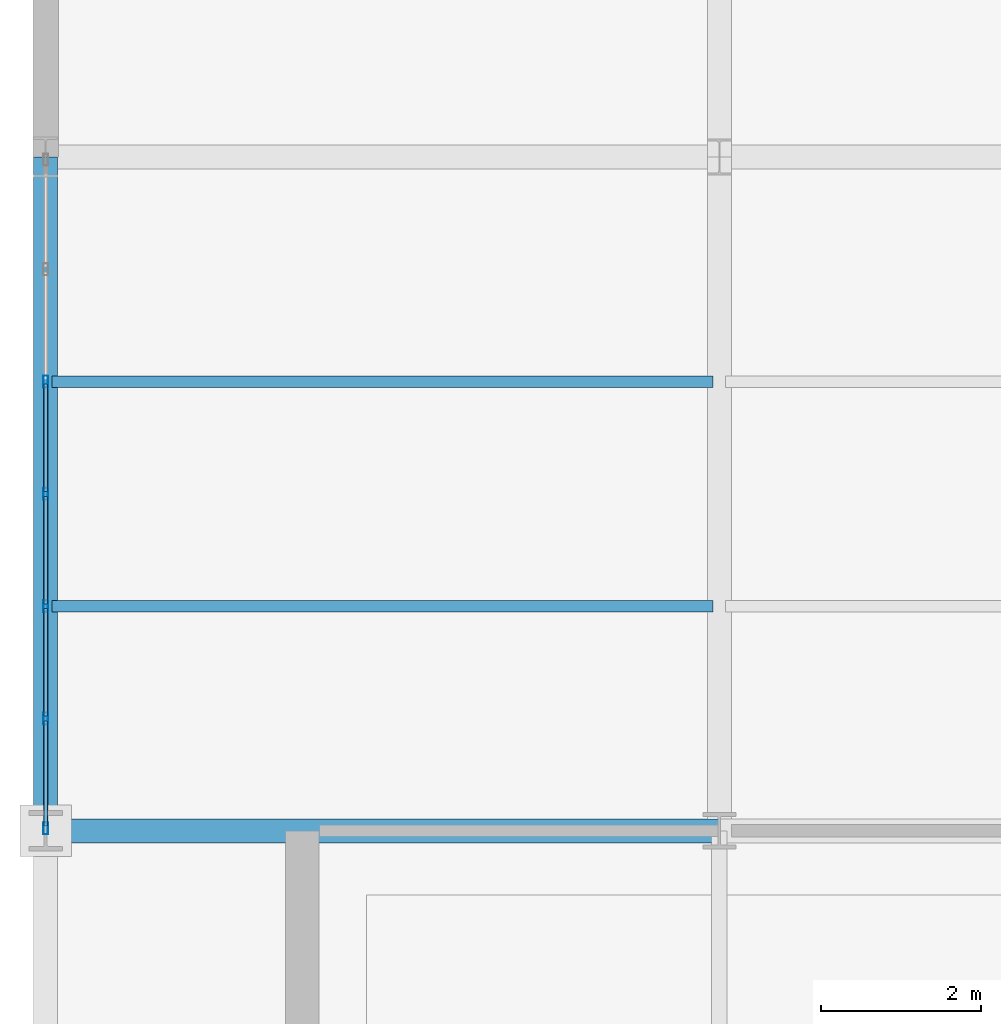
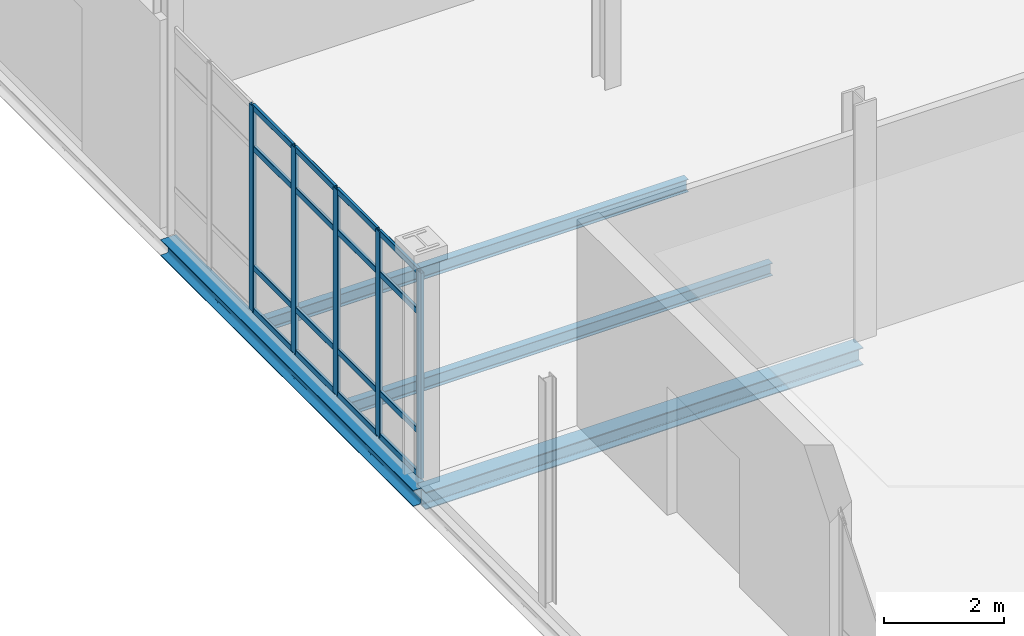
# One storey, part 33 of 145: 21 members, 4 beams, 1 element without a shape of its own.
"""IFC4 building model written with IfcOpenShell, lengths in metres."""

from ifc_helpers import new_model, si_unit, direction, frame, origin, origin_2d, place, context, subcontext, project, spatial, hollow_rectangle, i_section, extrude, material, layer, layer_set, material_profile, profile_set, type_object, element, aggregate, save


model = new_model("IFC4")

# Units and contexts
model_context = context("Model", 3, precision=1e-05, world=origin(), true_north=direction((0.0, 1.0)))
body_context = subcontext(model_context, "Body", "Model", "MODEL_VIEW")
ifc_project = project(units=[si_unit("LENGTHUNIT", "METRE"), si_unit("AREAUNIT", "SQUARE_METRE"), si_unit("VOLUMEUNIT", "CUBIC_METRE"), si_unit("PLANEANGLEUNIT", "RADIAN"), si_unit("MASSUNIT", "GRAM", prefix="KILO")], contexts=[model_context])

# Site, building, storey
site_placement = place(None, origin())
site = spatial("IfcSite", under=ifc_project, at=site_placement, CompositionType="ELEMENT")
building_placement = place(site_placement, origin())
building = spatial("IfcBuilding", under=site, at=building_placement, Name="Qalvenar Corner Mobility Hub", CompositionType="ELEMENT")
storey_placement = place(building_placement, origin())
storey = spatial("IfcBuildingStorey", under=building, at=storey_placement, Name="L00", CompositionType="ELEMENT", Elevation=0.0)

# Beams
ifc_material_1 = material(Name="Steel S355", Category="steel")
ifc_material_profile_1 = material_profile(ifc_material_1, i_section(OverallWidth=0.14599609375, OverallDepth=0.258056640625, WebThickness=0.006103515625, FlangeThickness=0.009033203125, FilletRadius=0.011962890625, at=origin_2d()), Name="W250x32.7")
ifc_profile_set_1 = profile_set([ifc_material_profile_1], Name="Steel S355")
beam_type_1 = type_object("IfcBeamType", Name="BM-JST250", PredefinedType="JOIST", material=ifc_profile_set_1)
for number, where, z_axis, x_axis, name in (
    (1, (0.077880859375, 44.800048828125, -0.34912109375), (1.0, 0.0, 0.0), (0.0, 1.0, 0.0), "Composite Floor Joist J-0477"),
    (2, (0.077880859375, 47.60009765625, -0.34912109375), (1.0, 0.0, 0.0), (0.0, 1.0, 0.0), "Composite Floor Joist J-0478"),
):
    element("IfcBeam", number, at=place(storey_placement, frame(where, z_axis=z_axis, x_axis=x_axis)), inside=storey, type_object=beam_type_1, Name=name, PredefinedType="JOIST", context=body_context, shape_type="SweptSolid", body=[
        extrude(i_section(OverallWidth=0.14599609375, OverallDepth=0.258056640625, WebThickness=0.006103515625, FlangeThickness=0.009033203125, FilletRadius=0.011962890625, at=origin_2d()), origin(), (0.0, 0.0, 1.0), 8.244140625),
    ])
ifc_material_profile_2 = material_profile(ifc_material_1, i_section(OverallWidth=0.300048828125, OverallDepth=0.330078125, WebThickness=0.009521484375, FlangeThickness=0.0166015625, FilletRadius=0.027099609375, at=origin_2d()), Name="HEA340")
ifc_profile_set_2 = profile_set([ifc_material_profile_2], Name="Steel S355")
beam_type_2 = type_object("IfcBeamType", Name="BM-SPN340", PredefinedType="SPANDREL", material=ifc_profile_set_2)
beam_1_placement = place(storey_placement, frame((0.0, 42.0, -0.385009765625), z_axis=(0.0, 1.0, 0.0), x_axis=(-1.0, 0.0, 0.0)))
element("IfcBeam", 3, at=beam_1_placement, inside=storey, type_object=beam_type_2, Name="Primary Steel Girder GY-0447", PredefinedType="SPANDREL", context=body_context, shape_type="SweptSolid", body=[
    extrude(i_section(OverallWidth=0.300048828125, OverallDepth=0.330078125, WebThickness=0.009521484375, FlangeThickness=0.0166015625, FilletRadius=0.027099609375, at=origin_2d()), origin(), (0.0, 0.0, 1.0), 8.39990234375),
])
ifc_material_profile_3 = material_profile(ifc_material_1, i_section(OverallWidth=0.300048828125, OverallDepth=0.35009765625, WebThickness=0.010009765625, FlangeThickness=0.017578125, FilletRadius=0.027099609375, at=origin_2d()), Name="HEA360")
ifc_profile_set_3 = profile_set([ifc_material_profile_3], Name="Steel S355")
beam_type_3 = type_object("IfcBeamType", Name="BM-SPN360", PredefinedType="SPANDREL", material=ifc_profile_set_3)
beam_2_placement = place(storey_placement, frame((0.0, 42.0, -0.39501953125), z_axis=(1.0, 0.0, 0.0), x_axis=(0.0, 1.0, 0.0)))
element("IfcBeam", 4, at=beam_2_placement, inside=storey, type_object=beam_type_3, Name="Primary Steel Girder GX-0031", PredefinedType="SPANDREL", context=body_context, shape_type="SweptSolid", body=[
    extrude(i_section(OverallWidth=0.300048828125, OverallDepth=0.35009765625, WebThickness=0.010009765625, FlangeThickness=0.017578125, FilletRadius=0.027099609375, at=origin_2d()), origin(), (0.0, 0.0, 1.0), 8.39990234375),
])

# Curtain wall, members
ifc_material_2 = material(Name="Anodised Aluminium and Low-E Glazing", Category="aluminium")
ifc_layer = layer(ifc_material_2, 0.14990234375)
ifc_layer_set = layer_set([ifc_layer], Name="Anodised Aluminium and Low-E Glazing")
curtain_wall_type = type_object("IfcCurtainWallType", Name="CW-CYC-84X45", PredefinedType="NOTDEFINED", material=ifc_layer_set)
curtain_wall_placement = place(storey_placement, origin())
curtain_wall = element("IfcCurtainWall", 5, at=curtain_wall_placement, inside=storey, type_object=curtain_wall_type, Name="Glazed Curtain Wall CW-V5-L00-W0", PredefinedType="NOTDEFINED")
ifc_material_3 = material(Name="Anodised Aluminium 6063-T6", Category="aluminium")
ifc_material_profile_4 = material_profile(ifc_material_3, hollow_rectangle(XDim=0.06005859375, YDim=0.14990234375, WallThickness=0.00390625, InnerFilletRadius=0.00390625, OuterFilletRadius=0.008056640625, at=origin_2d()), Name="RHS150x60x4")
ifc_profile_set_4 = profile_set([ifc_material_profile_4], Name="Anodised Aluminium 6063-T6")
member_type_1 = type_object("IfcMemberType", Name="CW-MUL150", PredefinedType="MULLION", material=ifc_profile_set_4)
member_1_placement = place(storey_placement, frame((0.0, 47.60009765625, 0.0), z_axis=(0.0, 0.0, 1.0), x_axis=(1.0, 0.0, 0.0)))
member_1 = element("IfcMember", 6, at=member_1_placement, type_object=member_type_1, Name="CW-07 mullion 3", PredefinedType="MULLION", context=body_context, shape_type="SweptSolid", body=[
    extrude(hollow_rectangle(XDim=0.06005859375, YDim=0.14990234375, WallThickness=0.00390625, InnerFilletRadius=0.00390625, OuterFilletRadius=0.008056640625, at=origin_2d()), origin(), (0.0, 0.0, 1.0), 4.169921875),
])
member_2_placement = place(storey_placement, frame((0.0, 46.199951171875, 0.0), z_axis=(0.0, 0.0, 1.0), x_axis=(1.0, 0.0, 0.0)))
member_2 = element("IfcMember", 7, at=member_2_placement, type_object=member_type_1, Name="CW-07 mullion 4", PredefinedType="MULLION", context=body_context, shape_type="SweptSolid", body=[
    extrude(hollow_rectangle(XDim=0.06005859375, YDim=0.14990234375, WallThickness=0.00390625, InnerFilletRadius=0.00390625, OuterFilletRadius=0.008056640625, at=origin_2d()), origin(), (0.0, 0.0, 1.0), 4.169921875),
])
member_3_placement = place(storey_placement, frame((0.0, 44.800048828125, 0.0), z_axis=(0.0, 0.0, 1.0), x_axis=(1.0, 0.0, 0.0)))
member_3 = element("IfcMember", 8, at=member_3_placement, type_object=member_type_1, Name="CW-07 mullion 5", PredefinedType="MULLION", context=body_context, shape_type="SweptSolid", body=[
    extrude(hollow_rectangle(XDim=0.06005859375, YDim=0.14990234375, WallThickness=0.00390625, InnerFilletRadius=0.00390625, OuterFilletRadius=0.008056640625, at=origin_2d()), origin(), (0.0, 0.0, 1.0), 4.169921875),
])
member_4_placement = place(storey_placement, frame((0.0, 43.39990234375, 0.0), z_axis=(0.0, 0.0, 1.0), x_axis=(1.0, 0.0, 0.0)))
member_4 = element("IfcMember", 9, at=member_4_placement, type_object=member_type_1, Name="CW-07 mullion 6", PredefinedType="MULLION", context=body_context, shape_type="SweptSolid", body=[
    extrude(hollow_rectangle(XDim=0.06005859375, YDim=0.14990234375, WallThickness=0.00390625, InnerFilletRadius=0.00390625, OuterFilletRadius=0.008056640625, at=origin_2d()), origin(), (0.0, 0.0, 1.0), 4.169921875),
])
member_5_placement = place(storey_placement, frame((0.0, 42.030029296875, 0.0), z_axis=(0.0, 0.0, 1.0), x_axis=(1.0, 0.0, 0.0)))
member_5 = element("IfcMember", 10, at=member_5_placement, type_object=member_type_1, Name="CW-07 mullion 7", PredefinedType="MULLION", context=body_context, shape_type="SweptSolid", body=[
    extrude(hollow_rectangle(XDim=0.06005859375, YDim=0.14990234375, WallThickness=0.00390625, InnerFilletRadius=0.00390625, OuterFilletRadius=0.008056640625, at=origin_2d()), origin(), (0.0, 0.0, 1.0), 4.169921875),
])
ifc_material_profile_5 = material_profile(ifc_material_3, hollow_rectangle(XDim=0.054931640625, YDim=0.1201171875, WallThickness=0.00341796875, InnerFilletRadius=0.00341796875, OuterFilletRadius=0.007080078125, at=origin_2d()), Name="RHS120x55x3.5")
ifc_profile_set_5 = profile_set([ifc_material_profile_5], Name="Anodised Aluminium 6063-T6")
member_type_2 = type_object("IfcMemberType", Name="CW-TRN120", PredefinedType="USERDEFINED", material=ifc_profile_set_5)
member_6_placement = place(storey_placement, frame((0.0, 47.570068359375, 0.027587890625), z_axis=(0.0, -1.0, 0.0), x_axis=(1.0, 0.0, 0.0)))
member_6 = element("IfcMember", 11, at=member_6_placement, type_object=member_type_2, Name="CW-07 transom 3.1", ObjectType="TRANSOM", PredefinedType="USERDEFINED", context=body_context, shape_type="SweptSolid", body=[
    extrude(hollow_rectangle(XDim=0.054931640625, YDim=0.1201171875, WallThickness=0.00341796875, InnerFilletRadius=0.00341796875, OuterFilletRadius=0.007080078125, at=origin_2d()), origin(), (0.0, 0.0, 1.0), 1.340087890625),
])
member_7_placement = place(storey_placement, frame((0.0, 47.570068359375, 0.89990234375), z_axis=(0.0, -1.0, 0.0), x_axis=(1.0, 0.0, 0.0)))
member_7 = element("IfcMember", 12, at=member_7_placement, type_object=member_type_2, Name="CW-07 transom 3.2", ObjectType="TRANSOM", PredefinedType="USERDEFINED", context=body_context, shape_type="SweptSolid", body=[
    extrude(hollow_rectangle(XDim=0.054931640625, YDim=0.1201171875, WallThickness=0.00341796875, InnerFilletRadius=0.00341796875, OuterFilletRadius=0.007080078125, at=origin_2d()), origin(), (0.0, 0.0, 1.0), 1.340087890625),
])
member_8_placement = place(storey_placement, frame((0.0, 47.570068359375, 3.320068359375), z_axis=(0.0, -1.0, 0.0), x_axis=(1.0, 0.0, 0.0)))
member_8 = element("IfcMember", 13, at=member_8_placement, type_object=member_type_2, Name="CW-07 transom 3.3", ObjectType="TRANSOM", PredefinedType="USERDEFINED", context=body_context, shape_type="SweptSolid", body=[
    extrude(hollow_rectangle(XDim=0.054931640625, YDim=0.1201171875, WallThickness=0.00341796875, InnerFilletRadius=0.00341796875, OuterFilletRadius=0.007080078125, at=origin_2d()), origin(), (0.0, 0.0, 1.0), 1.340087890625),
])
member_9_placement = place(storey_placement, frame((0.0, 47.570068359375, 4.142578125), z_axis=(0.0, -1.0, 0.0), x_axis=(1.0, 0.0, 0.0)))
member_9 = element("IfcMember", 14, at=member_9_placement, type_object=member_type_2, Name="CW-07 transom 3.4", ObjectType="TRANSOM", PredefinedType="USERDEFINED", context=body_context, shape_type="SweptSolid", body=[
    extrude(hollow_rectangle(XDim=0.054931640625, YDim=0.1201171875, WallThickness=0.00341796875, InnerFilletRadius=0.00341796875, OuterFilletRadius=0.007080078125, at=origin_2d()), origin(), (0.0, 0.0, 1.0), 1.340087890625),
])
member_10_placement = place(storey_placement, frame((0.0, 46.169921875, 0.027587890625), z_axis=(0.0, -1.0, 0.0), x_axis=(1.0, 0.0, 0.0)))
member_10 = element("IfcMember", 15, at=member_10_placement, type_object=member_type_2, Name="CW-07 transom 4.1", ObjectType="TRANSOM", PredefinedType="USERDEFINED", context=body_context, shape_type="SweptSolid", body=[
    extrude(hollow_rectangle(XDim=0.054931640625, YDim=0.1201171875, WallThickness=0.00341796875, InnerFilletRadius=0.00341796875, OuterFilletRadius=0.007080078125, at=origin_2d()), origin(), (0.0, 0.0, 1.0), 1.33984375),
])
member_11_placement = place(storey_placement, frame((0.0, 46.169921875, 0.89990234375), z_axis=(0.0, -1.0, 0.0), x_axis=(1.0, 0.0, 0.0)))
member_11 = element("IfcMember", 16, at=member_11_placement, type_object=member_type_2, Name="CW-07 transom 4.2", ObjectType="TRANSOM", PredefinedType="USERDEFINED", context=body_context, shape_type="SweptSolid", body=[
    extrude(hollow_rectangle(XDim=0.054931640625, YDim=0.1201171875, WallThickness=0.00341796875, InnerFilletRadius=0.00341796875, OuterFilletRadius=0.007080078125, at=origin_2d()), origin(), (0.0, 0.0, 1.0), 1.33984375),
])
member_12_placement = place(storey_placement, frame((0.0, 46.169921875, 3.320068359375), z_axis=(0.0, -1.0, 0.0), x_axis=(1.0, 0.0, 0.0)))
member_12 = element("IfcMember", 17, at=member_12_placement, type_object=member_type_2, Name="CW-07 transom 4.3", ObjectType="TRANSOM", PredefinedType="USERDEFINED", context=body_context, shape_type="SweptSolid", body=[
    extrude(hollow_rectangle(XDim=0.054931640625, YDim=0.1201171875, WallThickness=0.00341796875, InnerFilletRadius=0.00341796875, OuterFilletRadius=0.007080078125, at=origin_2d()), origin(), (0.0, 0.0, 1.0), 1.33984375),
])
member_13_placement = place(storey_placement, frame((0.0, 46.169921875, 4.142578125), z_axis=(0.0, -1.0, 0.0), x_axis=(1.0, 0.0, 0.0)))
member_13 = element("IfcMember", 18, at=member_13_placement, type_object=member_type_2, Name="CW-07 transom 4.4", ObjectType="TRANSOM", PredefinedType="USERDEFINED", context=body_context, shape_type="SweptSolid", body=[
    extrude(hollow_rectangle(XDim=0.054931640625, YDim=0.1201171875, WallThickness=0.00341796875, InnerFilletRadius=0.00341796875, OuterFilletRadius=0.007080078125, at=origin_2d()), origin(), (0.0, 0.0, 1.0), 1.33984375),
])
member_14_placement = place(storey_placement, frame((0.0, 44.77001953125, 0.027587890625), z_axis=(0.0, -1.0, 0.0), x_axis=(1.0, 0.0, 0.0)))
member_14 = element("IfcMember", 19, at=member_14_placement, type_object=member_type_2, Name="CW-07 transom 5.1", ObjectType="TRANSOM", PredefinedType="USERDEFINED", context=body_context, shape_type="SweptSolid", body=[
    extrude(hollow_rectangle(XDim=0.054931640625, YDim=0.1201171875, WallThickness=0.00341796875, InnerFilletRadius=0.00341796875, OuterFilletRadius=0.007080078125, at=origin_2d()), origin(), (0.0, 0.0, 1.0), 1.340087890625),
])
member_15_placement = place(storey_placement, frame((0.0, 44.77001953125, 0.89990234375), z_axis=(0.0, -1.0, 0.0), x_axis=(1.0, 0.0, 0.0)))
member_15 = element("IfcMember", 20, at=member_15_placement, type_object=member_type_2, Name="CW-07 transom 5.2", ObjectType="TRANSOM", PredefinedType="USERDEFINED", context=body_context, shape_type="SweptSolid", body=[
    extrude(hollow_rectangle(XDim=0.054931640625, YDim=0.1201171875, WallThickness=0.00341796875, InnerFilletRadius=0.00341796875, OuterFilletRadius=0.007080078125, at=origin_2d()), origin(), (0.0, 0.0, 1.0), 1.340087890625),
])
member_16_placement = place(storey_placement, frame((0.0, 44.77001953125, 3.320068359375), z_axis=(0.0, -1.0, 0.0), x_axis=(1.0, 0.0, 0.0)))
member_16 = element("IfcMember", 21, at=member_16_placement, type_object=member_type_2, Name="CW-07 transom 5.3", ObjectType="TRANSOM", PredefinedType="USERDEFINED", context=body_context, shape_type="SweptSolid", body=[
    extrude(hollow_rectangle(XDim=0.054931640625, YDim=0.1201171875, WallThickness=0.00341796875, InnerFilletRadius=0.00341796875, OuterFilletRadius=0.007080078125, at=origin_2d()), origin(), (0.0, 0.0, 1.0), 1.340087890625),
])
member_17_placement = place(storey_placement, frame((0.0, 44.77001953125, 4.142578125), z_axis=(0.0, -1.0, 0.0), x_axis=(1.0, 0.0, 0.0)))
member_17 = element("IfcMember", 22, at=member_17_placement, type_object=member_type_2, Name="CW-07 transom 5.4", ObjectType="TRANSOM", PredefinedType="USERDEFINED", context=body_context, shape_type="SweptSolid", body=[
    extrude(hollow_rectangle(XDim=0.054931640625, YDim=0.1201171875, WallThickness=0.00341796875, InnerFilletRadius=0.00341796875, OuterFilletRadius=0.007080078125, at=origin_2d()), origin(), (0.0, 0.0, 1.0), 1.340087890625),
])
member_18_placement = place(storey_placement, frame((0.0, 43.3701171875, 0.027587890625), z_axis=(0.0, -1.0, 0.0), x_axis=(1.0, 0.0, 0.0)))
member_18 = element("IfcMember", 23, at=member_18_placement, type_object=member_type_2, Name="CW-07 transom 6.1", ObjectType="TRANSOM", PredefinedType="USERDEFINED", context=body_context, shape_type="SweptSolid", body=[
    extrude(hollow_rectangle(XDim=0.054931640625, YDim=0.1201171875, WallThickness=0.00341796875, InnerFilletRadius=0.00341796875, OuterFilletRadius=0.007080078125, at=origin_2d()), origin(), (0.0, 0.0, 1.0), 1.31005859375),
])
member_19_placement = place(storey_placement, frame((0.0, 43.3701171875, 0.89990234375), z_axis=(0.0, -1.0, 0.0), x_axis=(1.0, 0.0, 0.0)))
member_19 = element("IfcMember", 24, at=member_19_placement, type_object=member_type_2, Name="CW-07 transom 6.2", ObjectType="TRANSOM", PredefinedType="USERDEFINED", context=body_context, shape_type="SweptSolid", body=[
    extrude(hollow_rectangle(XDim=0.054931640625, YDim=0.1201171875, WallThickness=0.00341796875, InnerFilletRadius=0.00341796875, OuterFilletRadius=0.007080078125, at=origin_2d()), origin(), (0.0, 0.0, 1.0), 1.31005859375),
])
member_20_placement = place(storey_placement, frame((0.0, 43.3701171875, 3.320068359375), z_axis=(0.0, -1.0, 0.0), x_axis=(1.0, 0.0, 0.0)))
member_20 = element("IfcMember", 25, at=member_20_placement, type_object=member_type_2, Name="CW-07 transom 6.3", ObjectType="TRANSOM", PredefinedType="USERDEFINED", context=body_context, shape_type="SweptSolid", body=[
    extrude(hollow_rectangle(XDim=0.054931640625, YDim=0.1201171875, WallThickness=0.00341796875, InnerFilletRadius=0.00341796875, OuterFilletRadius=0.007080078125, at=origin_2d()), origin(), (0.0, 0.0, 1.0), 1.31005859375),
])
member_21_placement = place(storey_placement, frame((0.0, 43.3701171875, 4.142578125), z_axis=(0.0, -1.0, 0.0), x_axis=(1.0, 0.0, 0.0)))
member_21 = element("IfcMember", 26, at=member_21_placement, type_object=member_type_2, Name="CW-07 transom 6.4", ObjectType="TRANSOM", PredefinedType="USERDEFINED", context=body_context, shape_type="SweptSolid", body=[
    extrude(hollow_rectangle(XDim=0.054931640625, YDim=0.1201171875, WallThickness=0.00341796875, InnerFilletRadius=0.00341796875, OuterFilletRadius=0.007080078125, at=origin_2d()), origin(), (0.0, 0.0, 1.0), 1.31005859375),
])
aggregate(curtain_wall, [member_1, member_2, member_3, member_4, member_5, member_6, member_7, member_8, member_9, member_10, member_11, member_12, member_13, member_14, member_15, member_16, member_17, member_18, member_19, member_20, member_21])

save(model, "model.ifc")
